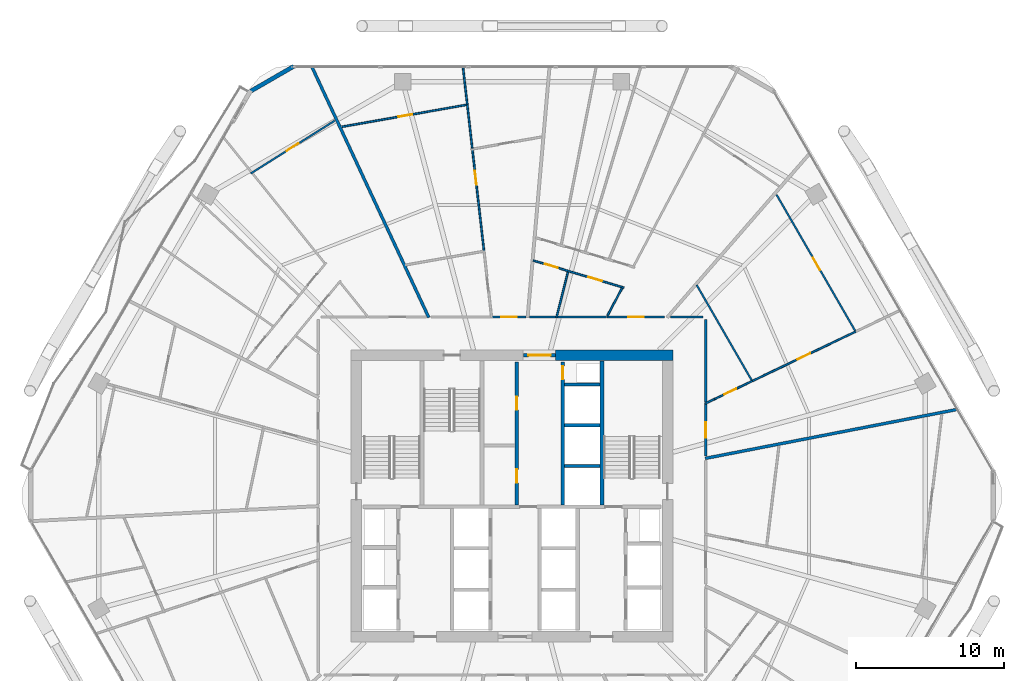
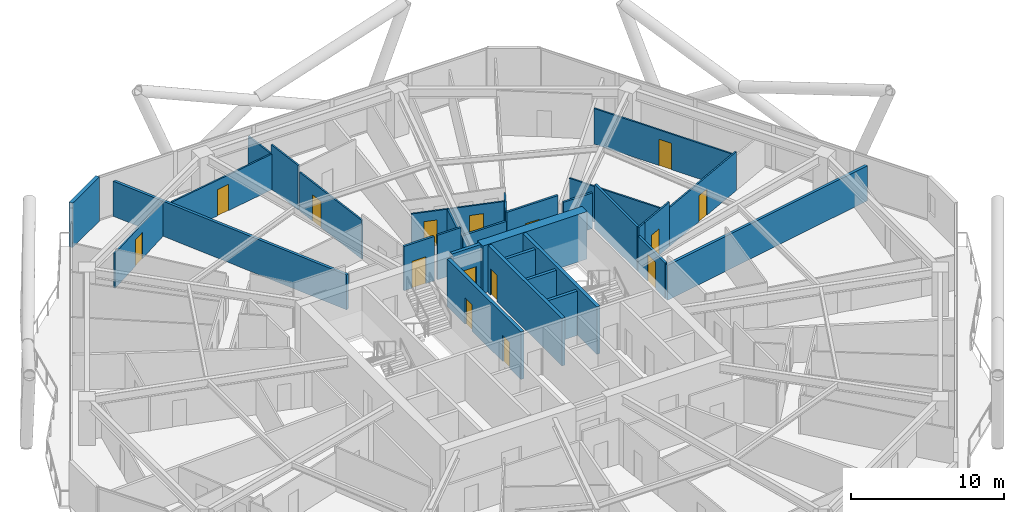
# One storey, part 31 of 34: 31 walls, 15 doors, 15 openings.
"""IFC4 building model written with IfcOpenShell, lengths in metres."""

from ifc_helpers import new_model, si_unit, direction, frame, frame_2d, origin, place, context, subcontext, project, spatial, rectangle, extrude, material, layer, layer_set, type_object, element, fill, save


model = new_model("IFC4")

# Units and contexts
model_context = context("Model", 3, precision=1e-05, world=origin(), true_north=direction((0.0, 1.0)))
body_context = subcontext(model_context, "Body", "Model", "MODEL_VIEW")
ifc_project = project(units=[si_unit("LENGTHUNIT", "METRE"), si_unit("AREAUNIT", "SQUARE_METRE"), si_unit("VOLUMEUNIT", "CUBIC_METRE"), si_unit("PLANEANGLEUNIT", "RADIAN"), si_unit("MASSUNIT", "GRAM", prefix="KILO")], contexts=[model_context])

# Site, building, storey
site_placement = place(None, origin())
site = spatial("IfcSite", under=ifc_project, at=site_placement, CompositionType="ELEMENT")
building_placement = place(site_placement, origin())
building = spatial("IfcBuilding", under=site, at=building_placement, Name="Zuhravey Tower", CompositionType="ELEMENT")
storey_placement = place(building_placement, frame((0.0, 0.0, 130.39990234375)))
storey = spatial("IfcBuildingStorey", under=building, at=storey_placement, Name="L32", CompositionType="ELEMENT", Elevation=130.39990234375)

# Wall
ifc_material_1 = material(Name="Concrete C60/75", Category="concrete")
ifc_layer_1 = layer(ifc_material_1, 0.699951171875)
ifc_layer_set_1 = layer_set([ifc_layer_1], Name="Concrete C60/75")
wall_type_1 = type_object("IfcWallType", Name="Core Shear Wall 700", PredefinedType="SHEAR", material=ifc_layer_set_1)
wall_1_placement = place(storey_placement, frame((46.85009765625, 41.5, 0.0), z_axis=(0.0, 0.0, 1.0), x_axis=(-1.0, 0.0, 0.0)))
element("IfcWall", 1, at=wall_1_placement, inside=storey, type_object=wall_type_1, Name="L32 North-East Core Shear Wall CW70", PredefinedType="SHEAR", context=body_context, shape_type="SweptSolid", body=[
    extrude(rectangle(XDim=7.900146484375, YDim=0.699951171875, at=frame_2d((3.9501953125, 0.0))), origin(), (0.0, 0.0, 1.0), 3.800048828125),
])

# Wall, opening, door
ifc_material_2 = material(Name="Gypsum fire-rated stud partition")
ifc_layer_2 = layer(ifc_material_2, 0.159912109375)
ifc_layer_set_2 = layer_set([ifc_layer_2], Name="Gypsum fire-rated stud partition")
wall_type_2 = type_object("IfcWallType", Name="Corridor Fire Partition 160", PredefinedType="PARTITIONING", material=ifc_layer_set_2)
wall_2_placement = place(storey_placement, frame((49.080078125, 34.681640625, 0.0), z_axis=(0.0, 0.0, 1.0), x_axis=(0.0, 1.0, 0.0)))
wall_2 = element("IfcWall", 2, at=wall_2_placement, inside=storey, type_object=wall_type_2, Name="L32 IW16 Partition 022", PredefinedType="PARTITIONING", context=body_context, shape_type="SweptSolid", body=[
    extrude(rectangle(XDim=3.5517578125, YDim=0.159912109375, at=frame_2d((1.77587890625, 0.0))), origin(), (0.0, 0.0, 1.0), 2.85009765625),
])
opening_1_placement = place(wall_2_placement, frame((1.2509765625, 0.0, 0.0)))
opening_1 = element("IfcOpeningElement", 3, at=opening_1_placement, cuts=wall_2, Name="Opening APD1", PredefinedType="OPENING", context=body_context, shape_type="SweptSolid", body=[
    extrude(rectangle(XDim=1.050048828125, YDim=2.14990234375, at=frame_2d((0.52490234375, 1.074951171875))), frame((0.0, 0.092041015625, 0.0), z_axis=(0.0, -1.0, 0.0), x_axis=(1.0, 0.0, 0.0)), (0.0, 0.0, 1.0), 0.183837890625),
])
ifc_material_3 = material(Name="Solid-core oak fire-rated leaf")
door_type_1 = type_object("IfcDoorType", Name="Apartment Entrance Fire Door 1050x2150", OperationType="NOTDEFINED", PredefinedType="DOOR", material=ifc_material_3)
door_1_placement = place(opening_1_placement, frame((1.050048828125, 0.0, 0.0), z_axis=(0.0, 0.0, 1.0), x_axis=(-1.0, 0.0, 0.0)))
door_1 = element("IfcDoor", 4, at=door_1_placement, inside=storey, type_object=door_type_1, Name="L32 Door 022.1", OperationType="SINGLE_SWING_LEFT", OverallHeight=2.14990234375, OverallWidth=1.050048828125, PredefinedType="DOOR", context=body_context, shape_type="SweptSolid", body=[
    extrude(rectangle(XDim=1.050048828125, YDim=2.14990234375, at=frame_2d((0.52490234375, 1.074951171875))), frame((0.0, 0.02490234375, 0.0), z_axis=(0.0, -1.0, 0.0), x_axis=(1.0, 0.0, 0.0)), (0.0, 0.0, 1.0), 0.050048828125),
])
fill(opening_1, door_1)

wall_3_placement = place(storey_placement, frame((46.291015625, 44.080078125, 0.0), z_axis=(0.0, 0.0, 1.0), x_axis=(-1.0, 0.0, 0.0)))
wall_3 = element("IfcWall", 5, at=wall_3_placement, inside=storey, type_object=wall_type_2, Name="L32 IW16 Partition 026", PredefinedType="PARTITIONING", context=body_context, shape_type="SweptSolid", body=[
    extrude(rectangle(XDim=3.872314453125, YDim=0.159912109375, at=frame_2d((1.93603515625, 0.0))), origin(), (0.0, 0.0, 1.0), 3.550048828125),
])
opening_2_placement = place(wall_3_placement, frame((1.4111328125, 0.0, 0.0)))
opening_2 = element("IfcOpeningElement", 6, at=opening_2_placement, cuts=wall_3, Name="Opening APD1", PredefinedType="OPENING", context=body_context, shape_type="SweptSolid", body=[
    extrude(rectangle(XDim=1.050048828125, YDim=2.14990234375, at=frame_2d((0.52490234375, 1.074951171875))), frame((0.0, 0.092041015625, 0.0), z_axis=(0.0, -1.0, 0.0), x_axis=(1.0, 0.0, 0.0)), (0.0, 0.0, 1.0), 0.183837890625),
])
door_2_placement = place(opening_2_placement, frame((1.050048828125, 0.0, 0.0), z_axis=(0.0, 0.0, 1.0), x_axis=(-1.0, 0.0, 0.0)))
door_2 = element("IfcDoor", 7, at=door_2_placement, inside=storey, type_object=door_type_1, Name="L32 Door 026.1", OperationType="SINGLE_SWING_LEFT", OverallHeight=2.14990234375, OverallWidth=1.050048828125, PredefinedType="DOOR", context=body_context, shape_type="SweptSolid", body=[
    extrude(rectangle(XDim=1.050048828125, YDim=2.14990234375, at=frame_2d((0.52490234375, 1.074951171875))), frame((0.0, 0.02490234375, 0.0), z_axis=(0.0, -1.0, 0.0), x_axis=(1.0, 0.0, 0.0)), (0.0, 0.0, 1.0), 0.050048828125),
])
fill(opening_2, door_2)

wall_4_placement = place(storey_placement, frame((36.9306640625, 44.080078125, 0.0), z_axis=(0.0, 0.0, 1.0), x_axis=(-1.0, 0.0, 0.0)))
wall_4 = element("IfcWall", 8, at=wall_4_placement, inside=storey, type_object=wall_type_2, Name="L32 IW16 Partition 032", PredefinedType="PARTITIONING", context=body_context, shape_type="SweptSolid", body=[
    extrude(rectangle(XDim=2.291259765625, YDim=0.159912109375, at=frame_2d((1.1455078125, 0.0))), origin(), (0.0, 0.0, 1.0), 3.550048828125),
])
opening_3_placement = place(wall_4_placement, frame((0.62060546875, 0.0, 0.0)))
opening_3 = element("IfcOpeningElement", 9, at=opening_3_placement, cuts=wall_4, Name="Opening APD1", PredefinedType="OPENING", context=body_context, shape_type="SweptSolid", body=[
    extrude(rectangle(XDim=1.050048828125, YDim=2.14990234375, at=frame_2d((0.52490234375, 1.074951171875))), frame((0.0, 0.092041015625, 0.0), z_axis=(0.0, -1.0, 0.0), x_axis=(1.0, 0.0, 0.0)), (0.0, 0.0, 1.0), 0.183837890625),
])
door_3_placement = place(opening_3_placement, frame((1.050048828125, 0.0, 0.0), z_axis=(0.0, 0.0, 1.0), x_axis=(-1.0, 0.0, 0.0)))
door_3 = element("IfcDoor", 10, at=door_3_placement, inside=storey, type_object=door_type_1, Name="L32 Door 032.1", OperationType="SINGLE_SWING_RIGHT", OverallHeight=2.14990234375, OverallWidth=1.050048828125, PredefinedType="DOOR", context=body_context, shape_type="SweptSolid", body=[
    extrude(rectangle(XDim=1.050048828125, YDim=2.14990234375, at=frame_2d((0.52490234375, 1.074951171875))), frame((0.0, 0.02490234375, 0.0), z_axis=(0.0, -1.0, 0.0), x_axis=(1.0, 0.0, 0.0)), (0.0, 0.0, 1.0), 0.050048828125),
])
fill(opening_3, door_3)

# Walls
wall_5_placement = place(storey_placement, frame((49.080078125, 38.3310546875, 0.0), z_axis=(0.0, 0.0, 1.0), x_axis=(0.0, 1.0, 0.0)))
element("IfcWall", 11, at=wall_5_placement, inside=storey, type_object=wall_type_2, Name="L32 IW16 Partition 128", PredefinedType="PARTITIONING", context=body_context, shape_type="SweptSolid", body=[
    extrude(rectangle(XDim=5.56884765625, YDim=0.159912109375, at=frame_2d((2.784423828125, 0.0))), origin(), (0.0, 0.0, 1.0), 3.550048828125),
])
wall_6_placement = place(storey_placement, frame((48.89990234375, 44.080078125, 0.0), z_axis=(0.0, 0.0, 1.0), x_axis=(-1.0, 0.0, 0.0)))
element("IfcWall", 12, at=wall_6_placement, inside=storey, type_object=wall_type_2, Name="L32 IW16 Partition 129", PredefinedType="PARTITIONING", context=body_context, shape_type="SweptSolid", body=[
    extrude(rectangle(XDim=2.185791015625, YDim=0.159912109375, at=frame_2d((1.0927734375, 0.0))), origin(), (0.0, 0.0, 1.0), 2.85009765625),
])
wall_7_placement = place(storey_placement, frame((42.373291015625, 44.080078125, 0.0), z_axis=(0.0, 0.0, 1.0), x_axis=(-1.0, 0.0, 0.0)))
element("IfcWall", 13, at=wall_7_placement, inside=storey, type_object=wall_type_2, Name="L32 IW16 Partition 130", PredefinedType="PARTITIONING", context=body_context, shape_type="SweptSolid", body=[
    extrude(rectangle(XDim=3.28857421875, YDim=0.159912109375, at=frame_2d((1.644287109375, 0.0))), origin(), (0.0, 0.0, 1.0), 2.85009765625),
])
wall_8_placement = place(storey_placement, frame((38.944580078125, 44.080078125, 0.0), z_axis=(0.0, 0.0, 1.0), x_axis=(-1.0, 0.0, 0.0)))
element("IfcWall", 14, at=wall_8_placement, inside=storey, type_object=wall_type_2, Name="L32 IW16 Partition 131", PredefinedType="PARTITIONING", context=body_context, shape_type="SweptSolid", body=[
    extrude(rectangle(XDim=1.76123046875, YDim=0.159912109375, at=frame_2d((0.880615234375, 0.0))), origin(), (0.0, 0.0, 1.0), 3.550048828125),
])
ifc_material_4 = material(Name="Precast concrete C40/50", Category="concrete")
ifc_layer_3 = layer(ifc_material_4, 0.280029296875)
ifc_layer_set_3 = layer_set([ifc_layer_3], Name="Precast concrete C40/50")
wall_type_3 = type_object("IfcWallType", Name="Crown Architectural Wall 280", PredefinedType="SOLIDWALL", material=ifc_layer_set_3)
wall_9_placement = place(storey_placement, frame((18.23876953125, 59.24853515625, 0.0), z_axis=(0.0, 0.0, 1.0), x_axis=(0.866007452331, 0.500031091541, 0.0)))
element("IfcWall", 15, at=wall_9_placement, inside=storey, type_object=wall_type_3, Name="L32 Rounded Corner Closure Wall EW28-08", PredefinedType="SOLIDWALL", context=body_context, shape_type="SweptSolid", body=[
    extrude(rectangle(XDim=3.514892578125, YDim=0.280029296875, at=frame_2d((1.75732421875, 0.0))), origin(), (0.0, 0.0, 1.0), 3.550048828125),
])

# Wall, opening, door
ifc_material_5 = material(Name="Concrete C50/60", Category="concrete")
ifc_layer_4 = layer(ifc_material_5, 0.25)
ifc_layer_set_4 = layer_set([ifc_layer_4], Name="Concrete C50/60")
wall_type_4 = type_object("IfcWallType", Name="Firefighting Shaft & Stair Wall 250", PredefinedType="SOLIDWALL", material=ifc_layer_set_4)
wall_10_placement = place(storey_placement, frame((36.760009765625, 41.5, 0.0), z_axis=(0.0, 0.0, 1.0), x_axis=(1.0, 0.0, 0.0)))
wall_10 = element("IfcWall", 16, at=wall_10_placement, inside=storey, type_object=wall_type_4, Name="L32 FW25 Shaft Wall 002", PredefinedType="SOLIDWALL", context=body_context, shape_type="SweptSolid", body=[
    extrude(rectangle(XDim=2.179931640625, YDim=0.25, at=frame_2d((1.08984375, 0.0))), origin(), (0.0, 0.0, 1.0), 3.800048828125),
])
opening_4_placement = place(wall_10_placement, frame((0.340087890625, 0.0, 0.0)))
opening_4 = element("IfcOpeningElement", 17, at=opening_4_placement, cuts=wall_10, Name="Opening FFD1", PredefinedType="OPENING", context=body_context, shape_type="SweptSolid", body=[
    extrude(rectangle(XDim=1.5, YDim=2.14990234375, at=frame_2d((0.75, 1.074951171875))), frame((0.0, 0.136962890625, 0.0), z_axis=(0.0, -1.0, 0.0), x_axis=(1.0, 0.0, 0.0)), (0.0, 0.0, 1.0), 0.27392578125),
])
ifc_material_6 = material(Name="Galvanised fire-rated steel leaf", Category="steel")
door_type_2 = type_object("IfcDoorType", Name="Firefighting Lobby Double Door 1500x2150", OperationType="DOUBLE_DOOR_SINGLE_SWING", PredefinedType="DOOR", material=ifc_material_6)
door_4_placement = place(opening_4_placement, origin())
door_4 = element("IfcDoor", 18, at=door_4_placement, inside=storey, type_object=door_type_2, Name="L32 North Lift Lobby Exit Door", OperationType="DOUBLE_DOOR_SINGLE_SWING", OverallHeight=2.14990234375, OverallWidth=1.5, PredefinedType="DOOR", context=body_context, shape_type="SweptSolid", body=[
    extrude(rectangle(XDim=1.5, YDim=2.14990234375, at=frame_2d((0.75, 1.074951171875))), frame((0.0, 0.02490234375, 0.0), z_axis=(0.0, -1.0, 0.0), x_axis=(1.0, 0.0, 0.0)), (0.0, 0.0, 1.0), 0.050048828125),
])
fill(opening_4, door_4)

# Wall
wall_11_placement = place(storey_placement, frame((42.074951171875, 31.39990234375, 0.0), z_axis=(0.0, 0.0, 1.0), x_axis=(0.0, 1.0, 0.0)))
element("IfcWall", 19, at=wall_11_placement, inside=storey, type_object=wall_type_4, Name="L32 FW25 Shaft Wall 006", PredefinedType="SOLIDWALL", context=body_context, shape_type="SweptSolid", body=[
    extrude(rectangle(XDim=9.7001953125, YDim=0.25, at=frame_2d((4.85009765625, 0.0))), origin(), (0.0, 0.0, 1.0), 3.800048828125),
])

# Wall, openings, doors
wall_12_placement = place(storey_placement, frame((36.324951171875, 31.39990234375, 0.0), z_axis=(0.0, 0.0, 1.0), x_axis=(0.0, 1.0, 0.0)))
wall_12 = element("IfcWall", 20, at=wall_12_placement, inside=storey, type_object=wall_type_4, Name="L32 FW25 Shaft Wall 007", PredefinedType="SOLIDWALL", context=body_context, shape_type="SweptSolid", body=[
    extrude(rectangle(XDim=9.650146484375, YDim=0.25, at=frame_2d((4.8251953125, 0.0))), origin(), (0.0, 0.0, 1.0), 3.800048828125),
])
opening_5_placement = place(wall_12_placement, frame((1.489990234375, 0.0, 0.0)))
opening_5 = element("IfcOpeningElement", 21, at=opening_5_placement, cuts=wall_12, Name="Opening RSD1", PredefinedType="OPENING", context=body_context, shape_type="SweptSolid", body=[
    extrude(rectangle(XDim=0.89990234375, YDim=2.10009765625, at=frame_2d((0.449951171875, 1.050048828125))), frame((0.0, 0.136962890625, 0.0), z_axis=(0.0, -1.0, 0.0), x_axis=(1.0, 0.0, 0.0)), (0.0, 0.0, 1.0), 0.27392578125),
])
opening_6_placement = place(wall_12_placement, frame((6.409912109375, 0.0, 0.0)))
opening_6 = element("IfcOpeningElement", 22, at=opening_6_placement, cuts=wall_12, Name="Opening RSD1", PredefinedType="OPENING", context=body_context, shape_type="SweptSolid", body=[
    extrude(rectangle(XDim=0.89990234375, YDim=2.10009765625, at=frame_2d((0.449951171875, 1.050048828125))), frame((0.0, 0.136962890625, 0.0), z_axis=(0.0, -1.0, 0.0), x_axis=(1.0, 0.0, 0.0)), (0.0, 0.0, 1.0), 0.27392578125),
])
ifc_material_7 = material(Name="Galvanised fire-rated steel access leaf", Category="steel")
door_type_3 = type_object("IfcDoorType", Name="Riser & Shaft Access Fire Door 900x2100", OperationType="NOTDEFINED", PredefinedType="DOOR", material=ifc_material_7)
door_5_placement = place(opening_5_placement, origin())
door_5 = element("IfcDoor", 23, at=door_5_placement, inside=storey, type_object=door_type_3, Name="L32 Core Cleaner Store Door", OperationType="SINGLE_SWING_RIGHT", OverallHeight=2.10009765625, OverallWidth=0.89990234375, PredefinedType="DOOR", context=body_context, shape_type="SweptSolid", body=[
    extrude(rectangle(XDim=0.89990234375, YDim=2.10009765625, at=frame_2d((0.449951171875, 1.050048828125))), frame((0.0, 0.02490234375, 0.0), z_axis=(0.0, -1.0, 0.0), x_axis=(1.0, 0.0, 0.0)), (0.0, 0.0, 1.0), 0.050048828125),
])
fill(opening_5, door_5)
door_6_placement = place(opening_6_placement, origin())
door_6 = element("IfcDoor", 24, at=door_6_placement, inside=storey, type_object=door_type_3, Name="L32 Core Pantry and Tea Room Door", OperationType="SINGLE_SWING_LEFT", OverallHeight=2.10009765625, OverallWidth=0.89990234375, PredefinedType="DOOR", context=body_context, shape_type="SweptSolid", body=[
    extrude(rectangle(XDim=0.89990234375, YDim=2.10009765625, at=frame_2d((0.449951171875, 1.050048828125))), frame((0.0, 0.02490234375, 0.0), z_axis=(0.0, -1.0, 0.0), x_axis=(1.0, 0.0, 0.0)), (0.0, 0.0, 1.0), 0.050048828125),
])
fill(opening_6, door_6)

# Wall, opening, door
wall_13_placement = place(storey_placement, frame((39.425048828125, 31.39990234375, 0.0), z_axis=(0.0, 0.0, 1.0), x_axis=(0.0, 1.0, 0.0)))
wall_13 = element("IfcWall", 25, at=wall_13_placement, inside=storey, type_object=wall_type_4, Name="L32 FW25 Shaft Wall 008", PredefinedType="SOLIDWALL", context=body_context, shape_type="SweptSolid", body=[
    extrude(rectangle(XDim=9.650146484375, YDim=0.25, at=frame_2d((4.8251953125, 0.0))), origin(), (0.0, 0.0, 1.0), 3.800048828125),
])
opening_7_placement = place(wall_13_placement, frame((8.469970703125, 0.0, 0.0)))
opening_7 = element("IfcOpeningElement", 26, at=opening_7_placement, cuts=wall_13, Name="Opening RSD1", PredefinedType="OPENING", context=body_context, shape_type="SweptSolid", body=[
    extrude(rectangle(XDim=0.89990234375, YDim=2.10009765625, at=frame_2d((0.449951171875, 1.050048828125))), frame((0.0, 0.136962890625, 0.0), z_axis=(0.0, -1.0, 0.0), x_axis=(1.0, 0.0, 0.0)), (0.0, 0.0, 1.0), 0.27392578125),
])
door_7_placement = place(opening_7_placement, origin())
door_7 = element("IfcDoor", 27, at=door_7_placement, inside=storey, type_object=door_type_3, Name="L32 North Riser Door", OperationType="SINGLE_SWING_RIGHT", OverallHeight=2.10009765625, OverallWidth=0.89990234375, PredefinedType="DOOR", context=body_context, shape_type="SweptSolid", body=[
    extrude(rectangle(XDim=0.89990234375, YDim=2.10009765625, at=frame_2d((0.449951171875, 1.050048828125))), frame((0.0, 0.02490234375, 0.0), z_axis=(0.0, -1.0, 0.0), x_axis=(1.0, 0.0, 0.0)), (0.0, 0.0, 1.0), 0.050048828125),
])
fill(opening_7, door_7)

# Walls
ifc_material_8 = material(Name="Gypsum double-stud party assembly")
ifc_layer_5 = layer(ifc_material_8, 0.199951171875)
ifc_layer_set_5 = layer_set([ifc_layer_5], Name="Gypsum double-stud party assembly")
wall_type_5 = type_object("IfcWallType", Name="Inter-Tenancy Party Wall 200", PredefinedType="PARTITIONING", material=ifc_layer_set_5)
wall_14_placement = place(storey_placement, frame((49.0400390625, 34.53466796875, 0.0), z_axis=(0.0, 0.0, 1.0), x_axis=(0.981625938162, 0.190815401706, 0.0)))
element("IfcWall", 28, at=wall_14_placement, inside=storey, type_object=wall_type_5, Name="L32 IW20 Partition 075", PredefinedType="PARTITIONING", context=body_context, shape_type="SweptSolid", body=[
    extrude(rectangle(XDim=17.343017578125, YDim=0.199951171875, at=frame_2d((8.67138671875, 0.0))), origin(), (0.0, 0.0, 1.0), 2.800048828125),
])
wall_15_placement = place(storey_placement, frame((30.3857421875, 44.0400390625, 0.0), z_axis=(0.0, 0.0, 1.0), x_axis=(-0.422626983595, 0.906303719918, 0.0)))
element("IfcWall", 29, at=wall_15_placement, inside=storey, type_object=wall_type_5, Name="L32 IW20 Partition 091", PredefinedType="PARTITIONING", context=body_context, shape_type="SweptSolid", body=[
    extrude(rectangle(XDim=18.66748046875, YDim=0.199951171875, at=frame_2d((9.333740234375, 0.0))), origin(), (0.0, 0.0, 1.0), 2.800048828125),
])
ifc_material_9 = material(Name="Gypsum acoustic stud assembly")
ifc_layer_6 = layer(ifc_material_9, 0.219970703125)
ifc_layer_set_6 = layer_set([ifc_layer_6], Name="Gypsum acoustic stud assembly")
wall_type_6 = type_object("IfcWallType", Name="School Acoustic Compartment Wall 220", PredefinedType="PARTITIONING", material=ifc_layer_set_6)
for number, where, z_axis, x_axis, name in (
    (30, (39.55810546875, 34.02490234375, 0.0), (0.0, 0.0, 1.0), (1.0, 0.0, 0.0), "L32 IW22 Partition 068"),
    (31, (39.55810546875, 36.77490234375, 0.0), (0.0, 0.0, 1.0), (1.0, 0.0, 0.0), "L32 IW22 Partition 069"),
    (32, (39.55810546875, 39.52490234375, 0.0), (0.0, 0.0, 1.0), (1.0, 0.0, 0.0), "L32 IW22 Partition 070"),
):
    element("IfcWall", number, at=place(storey_placement, frame(where, z_axis=z_axis, x_axis=x_axis)), inside=storey, type_object=wall_type_6, Name=name, PredefinedType="PARTITIONING", context=body_context, shape_type="SweptSolid", body=[
        extrude(rectangle(XDim=2.3837890625, YDim=0.219970703125, at=frame_2d((1.19189453125, 0.0))), origin(), (0.0, 0.0, 1.0), 3.550048828125),
    ])

# Wall, opening, door
ifc_material_10 = material(Name="Gypsum metal-stud partition")
ifc_layer_7 = layer(ifc_material_10, 0.1201171875)
ifc_layer_set_7 = layer_set([ifc_layer_7], Name="Gypsum metal-stud partition")
wall_type_7 = type_object("IfcWallType", Name="Unit Internal Partition 120", PredefinedType="PARTITIONING", material=ifc_layer_set_7)
wall_16_placement = place(storey_placement, frame((49.64990234375, 38.5283203125, 0.0), z_axis=(0.0, 0.0, 1.0), x_axis=(0.902135664901, 0.431452479555, 0.0)))
wall_16 = element("IfcWall", 33, at=wall_16_placement, inside=storey, type_object=wall_type_7, Name="L32 IW12 Partition 019", PredefinedType="PARTITIONING", context=body_context, shape_type="SweptSolid", body=[
    extrude(rectangle(XDim=2.86279296875, YDim=0.1201171875, at=frame_2d((1.431396484375, 0.0))), origin(), (0.0, 0.0, 1.0), 3.550048828125),
])
opening_8_placement = place(wall_16_placement, frame((0.752197265625, 0.0, 0.0)))
opening_8 = element("IfcOpeningElement", 34, at=opening_8_placement, cuts=wall_16, Name="Opening WCD1", PredefinedType="OPENING", context=body_context, shape_type="SweptSolid", body=[
    extrude(rectangle(XDim=0.89990234375, YDim=2.10009765625, at=frame_2d((0.449951171875, 1.050048828125))), frame((0.0, 0.072021484375, 0.0), z_axis=(0.0, -1.0, 0.0), x_axis=(1.0, 0.0, 0.0)), (0.0, 0.0, 1.0), 0.14404296875),
])
ifc_material_11 = material(Name="Moisture-resistant timber leaf", Category="wood")
door_type_4 = type_object("IfcDoorType", Name="Bathroom & WC Internal Door 900x2100", OperationType="NOTDEFINED", PredefinedType="DOOR", material=ifc_material_11)
door_8_placement = place(opening_8_placement, origin())
door_8 = element("IfcDoor", 35, at=door_8_placement, inside=storey, type_object=door_type_4, Name="Apartment L32-01 Bathroom Door", OperationType="SINGLE_SWING_RIGHT", OverallHeight=2.10009765625, OverallWidth=0.89990234375, PredefinedType="DOOR", context=body_context, shape_type="SweptSolid", body=[
    extrude(rectangle(XDim=0.89990234375, YDim=2.10009765625, at=frame_2d((0.449951171875, 1.050048828125))), frame((0.0, 0.02490234375, 0.0), z_axis=(0.0, -1.0, 0.0), x_axis=(1.0, 0.0, 0.0)), (0.0, 0.0, 1.0), 0.050048828125),
])
fill(opening_8, door_8)

wall_17_placement = place(storey_placement, frame((52.232421875, 39.763427734375, 0.0), z_axis=(0.0, 0.0, 1.0), x_axis=(0.902143295933, 0.43143652326, 0.0)))
wall_17 = element("IfcWall", 36, at=wall_17_placement, inside=storey, type_object=wall_type_7, Name="L32 IW12 Partition 020", PredefinedType="PARTITIONING", context=body_context, shape_type="SweptSolid", body=[
    extrude(rectangle(XDim=7.739990234375, YDim=0.1201171875, at=frame_2d((3.8701171875, 0.0))), origin(), (0.0, 0.0, 1.0), 3.10009765625),
])
opening_9_placement = place(wall_17_placement, frame((3.3701171875, 0.0, 0.0)))
opening_9 = element("IfcOpeningElement", 37, at=opening_9_placement, cuts=wall_17, Name="Opening IND1", PredefinedType="OPENING", context=body_context, shape_type="SweptSolid", body=[
    extrude(rectangle(XDim=0.949951171875, YDim=2.10009765625, at=frame_2d((0.47509765625, 1.050048828125))), frame((0.0, 0.072021484375, 0.0), z_axis=(0.0, -1.0, 0.0), x_axis=(1.0, 0.0, 0.0)), (0.0, 0.0, 1.0), 0.14404296875),
])
ifc_material_12 = material(Name="Painted engineered timber leaf", Category="wood")
door_type_5 = type_object("IfcDoorType", Name="Internal Room & Bedroom Door 950x2100", OperationType="NOTDEFINED", PredefinedType="DOOR", material=ifc_material_12)
door_9_placement = place(opening_9_placement, origin())
door_9 = element("IfcDoor", 38, at=door_9_placement, inside=storey, type_object=door_type_5, Name="Apartment L32-01 Home Office Door", OperationType="SINGLE_SWING_LEFT", OverallHeight=2.10009765625, OverallWidth=0.949951171875, PredefinedType="DOOR", context=body_context, shape_type="SweptSolid", body=[
    extrude(rectangle(XDim=0.949951171875, YDim=2.10009765625, at=frame_2d((0.47509765625, 1.050048828125))), frame((0.0, 0.02490234375, 0.0), z_axis=(0.0, -1.0, 0.0), x_axis=(1.0, 0.0, 0.0)), (0.0, 0.0, 1.0), 0.050048828125),
])
fill(opening_9, door_9)

wall_18_placement = place(storey_placement, frame((59.158447265625, 43.151123046875, 0.0), z_axis=(0.0, 0.0, 1.0), x_axis=(-0.500002146898, 0.866024164269, 0.0)))
wall_18 = element("IfcWall", 39, at=wall_18_placement, inside=storey, type_object=wall_type_7, Name="L32 IW12 Partition 021", PredefinedType="PARTITIONING", context=body_context, shape_type="SweptSolid", body=[
    extrude(rectangle(XDim=10.603515625, YDim=0.1201171875, at=frame_2d((5.3017578125, 0.0))), origin(), (0.0, 0.0, 1.0), 2.85009765625),
])
opening_10_placement = place(wall_18_placement, frame((4.742431640625, 0.0, 0.0)))
opening_10 = element("IfcOpeningElement", 40, at=opening_10_placement, cuts=wall_18, Name="Opening IND1", PredefinedType="OPENING", context=body_context, shape_type="SweptSolid", body=[
    extrude(rectangle(XDim=0.949951171875, YDim=2.10009765625, at=frame_2d((0.47509765625, 1.050048828125))), frame((0.0, 0.072021484375, 0.0), z_axis=(0.0, -1.0, 0.0), x_axis=(1.0, 0.0, 0.0)), (0.0, 0.0, 1.0), 0.14404296875),
])
door_10_placement = place(opening_10_placement, frame((0.949951171875, 0.0, 0.0), z_axis=(0.0, 0.0, 1.0), x_axis=(-1.0, 0.0, 0.0)))
door_10 = element("IfcDoor", 41, at=door_10_placement, inside=storey, type_object=door_type_5, Name="Apartment L32-01 Bedroom 1 Door", OperationType="SINGLE_SWING_RIGHT", OverallHeight=2.10009765625, OverallWidth=0.949951171875, PredefinedType="DOOR", context=body_context, shape_type="SweptSolid", body=[
    extrude(rectangle(XDim=0.949951171875, YDim=2.10009765625, at=frame_2d((0.47509765625, 1.050048828125))), frame((0.0, 0.02490234375, 0.0), z_axis=(0.0, -1.0, 0.0), x_axis=(1.0, 0.0, 0.0)), (0.0, 0.0, 1.0), 0.050048828125),
])
fill(opening_10, door_10)

# Wall, openings, doors
wall_19_placement = place(storey_placement, frame((43.555908203125, 46.056640625, 0.0), z_axis=(0.0, 0.0, 1.0), x_axis=(-0.957822082652, 0.287361893759, 0.0)))
wall_19 = element("IfcWall", 42, at=wall_19_placement, inside=storey, type_object=wall_type_7, Name="L32 IW12 Partition 024", PredefinedType="PARTITIONING", context=body_context, shape_type="SweptSolid", body=[
    extrude(rectangle(XDim=6.395751953125, YDim=0.1201171875, at=frame_2d((3.19775390625, 0.0))), origin(), (0.0, 0.0, 1.0), 2.85009765625),
])
opening_11_placement = place(wall_19_placement, frame((1.541748046875, 0.0, 0.0)))
opening_11 = element("IfcOpeningElement", 43, at=opening_11_placement, cuts=wall_19, Name="Opening IND1", PredefinedType="OPENING", context=body_context, shape_type="SweptSolid", body=[
    extrude(rectangle(XDim=0.949951171875, YDim=2.10009765625, at=frame_2d((0.47509765625, 1.050048828125))), frame((0.0, 0.072021484375, 0.0), z_axis=(0.0, -1.0, 0.0), x_axis=(1.0, 0.0, 0.0)), (0.0, 0.0, 1.0), 0.14404296875),
])
opening_12_placement = place(wall_19_placement, frame((4.66259765625, 0.0, 0.0)))
opening_12 = element("IfcOpeningElement", 44, at=opening_12_placement, cuts=wall_19, Name="Opening WCD1", PredefinedType="OPENING", context=body_context, shape_type="SweptSolid", body=[
    extrude(rectangle(XDim=0.89990234375, YDim=2.10009765625, at=frame_2d((0.449951171875, 1.050048828125))), frame((0.0, 0.072021484375, 0.0), z_axis=(0.0, -1.0, 0.0), x_axis=(1.0, 0.0, 0.0)), (0.0, 0.0, 1.0), 0.14404296875),
])
door_11_placement = place(opening_12_placement, origin())
door_11 = element("IfcDoor", 45, at=door_11_placement, inside=storey, type_object=door_type_4, Name="Apartment L32-02 Bathroom Door", OperationType="SINGLE_SWING_RIGHT", OverallHeight=2.10009765625, OverallWidth=0.89990234375, PredefinedType="DOOR", context=body_context, shape_type="SweptSolid", body=[
    extrude(rectangle(XDim=0.89990234375, YDim=2.10009765625, at=frame_2d((0.449951171875, 1.050048828125))), frame((0.0, 0.02490234375, 0.0), z_axis=(0.0, -1.0, 0.0), x_axis=(1.0, 0.0, 0.0)), (0.0, 0.0, 1.0), 0.050048828125),
])
fill(opening_12, door_11)
door_12_placement = place(opening_11_placement, origin())
door_12 = element("IfcDoor", 46, at=door_12_placement, inside=storey, type_object=door_type_5, Name="Apartment L32-02 Kitchen Door", OperationType="SINGLE_SWING_LEFT", OverallHeight=2.10009765625, OverallWidth=0.949951171875, PredefinedType="DOOR", context=body_context, shape_type="SweptSolid", body=[
    extrude(rectangle(XDim=0.949951171875, YDim=2.10009765625, at=frame_2d((0.47509765625, 1.050048828125))), frame((0.0, 0.02490234375, 0.0), z_axis=(0.0, -1.0, 0.0), x_axis=(1.0, 0.0, 0.0)), (0.0, 0.0, 1.0), 0.050048828125),
])
fill(opening_11, door_12)

# Wall, opening, door
wall_20_placement = place(storey_placement, frame((34.10888671875, 48.54541015625, 0.0), z_axis=(0.0, 0.0, 1.0), x_axis=(-0.113541557806, 0.993533247884, 0.0)))
wall_20 = element("IfcWall", 47, at=wall_20_placement, inside=storey, type_object=wall_type_7, Name="L32 IW12 Partition 029", PredefinedType="PARTITIONING", context=body_context, shape_type="SweptSolid", body=[
    extrude(rectangle(XDim=6.83984375, YDim=0.1201171875, at=frame_2d((3.419921875, 0.0))), origin(), (0.0, 0.0, 1.0), 3.10009765625),
])
opening_13_placement = place(wall_20_placement, frame((4.476318359375, 0.0, 0.0)))
opening_13 = element("IfcOpeningElement", 48, at=opening_13_placement, cuts=wall_20, Name="Opening IND1", PredefinedType="OPENING", context=body_context, shape_type="SweptSolid", body=[
    extrude(rectangle(XDim=0.949951171875, YDim=2.10009765625, at=frame_2d((0.47509765625, 1.050048828125))), frame((0.0, 0.072021484375, 0.0), z_axis=(0.0, -1.0, 0.0), x_axis=(1.0, 0.0, 0.0)), (0.0, 0.0, 1.0), 0.14404296875),
])
door_13_placement = place(opening_13_placement, origin())
door_13 = element("IfcDoor", 49, at=door_13_placement, inside=storey, type_object=door_type_5, Name="Apartment L32-03 Home Office Door", OperationType="SINGLE_SWING_RIGHT", OverallHeight=2.10009765625, OverallWidth=0.949951171875, PredefinedType="DOOR", context=body_context, shape_type="SweptSolid", body=[
    extrude(rectangle(XDim=0.949951171875, YDim=2.10009765625, at=frame_2d((0.47509765625, 1.050048828125))), frame((0.0, 0.02490234375, 0.0), z_axis=(0.0, -1.0, 0.0), x_axis=(1.0, 0.0, 0.0)), (0.0, 0.0, 1.0), 0.050048828125),
])
fill(opening_13, door_13)

# Wall
wall_21_placement = place(storey_placement, frame((33.31689453125, 55.476318359375, 0.0), z_axis=(0.0, 0.0, 1.0), x_axis=(-0.113518831764, 0.993535844766, 0.0)))
element("IfcWall", 50, at=wall_21_placement, inside=storey, type_object=wall_type_7, Name="L32 IW12 Partition 030", PredefinedType="PARTITIONING", context=body_context, shape_type="SweptSolid", body=[
    extrude(rectangle(XDim=2.9765625, YDim=0.1201171875, at=frame_2d((1.48828125, 0.0))), origin(), (0.0, 0.0, 1.0), 3.550048828125),
])

# Wall, opening, door
wall_22_placement = place(storey_placement, frame((32.914794921875, 58.396728515625, 0.0), z_axis=(0.0, 0.0, 1.0), x_axis=(-0.984808385469, -0.17364459079, 0.0)))
wall_22 = element("IfcWall", 51, at=wall_22_placement, inside=storey, type_object=wall_type_7, Name="L32 IW12 Partition 031", PredefinedType="PARTITIONING", context=body_context, shape_type="SweptSolid", body=[
    extrude(rectangle(XDim=8.510498046875, YDim=0.1201171875, at=frame_2d((4.25537109375, 0.0))), origin(), (0.0, 0.0, 1.0), 2.85009765625),
])
opening_14_placement = place(wall_22_placement, frame((3.69580078125, 0.0, 0.0)))
opening_14 = element("IfcOpeningElement", 52, at=opening_14_placement, cuts=wall_22, Name="Opening IND1", PredefinedType="OPENING", context=body_context, shape_type="SweptSolid", body=[
    extrude(rectangle(XDim=0.949951171875, YDim=2.10009765625, at=frame_2d((0.47509765625, 1.050048828125))), frame((0.0, 0.072021484375, 0.0), z_axis=(0.0, -1.0, 0.0), x_axis=(1.0, 0.0, 0.0)), (0.0, 0.0, 1.0), 0.14404296875),
])
door_14_placement = place(opening_14_placement, frame((0.949951171875, 0.0, 0.0), z_axis=(0.0, 0.0, 1.0), x_axis=(-1.0, 0.0, 0.0)))
door_14 = element("IfcDoor", 53, at=door_14_placement, inside=storey, type_object=door_type_5, Name="Apartment L32-03 Kitchen Door", OperationType="SINGLE_SWING_LEFT", OverallHeight=2.10009765625, OverallWidth=0.949951171875, PredefinedType="DOOR", context=body_context, shape_type="SweptSolid", body=[
    extrude(rectangle(XDim=0.949951171875, YDim=2.10009765625, at=frame_2d((0.47509765625, 1.050048828125))), frame((0.0, 0.02490234375, 0.0), z_axis=(0.0, -1.0, 0.0), x_axis=(1.0, 0.0, 0.0)), (0.0, 0.0, 1.0), 0.050048828125),
])
fill(opening_14, door_14)

wall_23_placement = place(storey_placement, frame((24.030029296875, 57.32763671875, 0.0), z_axis=(0.0, 0.0, 1.0), x_axis=(-0.846561448229, -0.532291005346, 0.0)))
wall_23 = element("IfcWall", 54, at=wall_23_placement, inside=storey, type_object=wall_type_7, Name="L32 IW12 Partition 033", PredefinedType="PARTITIONING", context=body_context, shape_type="SweptSolid", body=[
    extrude(rectangle(XDim=6.696533203125, YDim=0.1201171875, at=frame_2d((3.34814453125, 0.0))), origin(), (0.0, 0.0, 1.0), 2.800048828125),
])
opening_15_placement = place(wall_23_placement, frame((2.873291015625, 0.0, 0.0)))
opening_15 = element("IfcOpeningElement", 55, at=opening_15_placement, cuts=wall_23, Name="Opening IND1", PredefinedType="OPENING", context=body_context, shape_type="SweptSolid", body=[
    extrude(rectangle(XDim=0.949951171875, YDim=2.10009765625, at=frame_2d((0.47509765625, 1.050048828125))), frame((0.0, 0.072021484375, 0.0), z_axis=(0.0, -1.0, 0.0), x_axis=(1.0, 0.0, 0.0)), (0.0, 0.0, 1.0), 0.14404296875),
])
door_15_placement = place(opening_15_placement, frame((0.949951171875, 0.0, 0.0), z_axis=(0.0, 0.0, 1.0), x_axis=(-1.0, 0.0, 0.0)))
door_15 = element("IfcDoor", 56, at=door_15_placement, inside=storey, type_object=door_type_5, Name="Apartment L32-04 Family Study Door", OperationType="SINGLE_SWING_LEFT", OverallHeight=2.10009765625, OverallWidth=0.949951171875, PredefinedType="DOOR", context=body_context, shape_type="SweptSolid", body=[
    extrude(rectangle(XDim=0.949951171875, YDim=2.10009765625, at=frame_2d((0.47509765625, 1.050048828125))), frame((0.0, 0.02490234375, 0.0), z_axis=(0.0, -1.0, 0.0), x_axis=(1.0, 0.0, 0.0)), (0.0, 0.0, 1.0), 0.050048828125),
])
fill(opening_15, door_15)

# Walls
wall_24_placement = place(storey_placement, frame((49.03759765625, 38.2353515625, 0.0), z_axis=(0.0, 0.0, 1.0), x_axis=(0.902061167318, 0.431608214028, 0.0)))
element("IfcWall", 57, at=wall_24_placement, inside=storey, type_object=wall_type_7, Name="L32 IW12 Partition 076", PredefinedType="PARTITIONING", context=body_context, shape_type="SweptSolid", body=[
    extrude(rectangle(XDim=0.6787109375, YDim=0.1201171875, at=frame_2d((0.33935546875, 0.0))), origin(), (0.0, 0.0, 1.0), 3.550048828125),
])
wall_25_placement = place(storey_placement, frame((52.17578125, 39.811767578125, 0.0), z_axis=(0.0, 0.0, 1.0), x_axis=(-0.499998637326, 0.866026190523, 0.0)))
element("IfcWall", 58, at=wall_25_placement, inside=storey, type_object=wall_type_7, Name="L32 IW12 Partition 078", PredefinedType="PARTITIONING", context=body_context, shape_type="SweptSolid", body=[
    extrude(rectangle(XDim=7.42236328125, YDim=0.1201171875, at=frame_2d((3.711181640625, 0.0))), origin(), (0.0, 0.0, 1.0), 2.85009765625),
])
wall_26_placement = place(storey_placement, frame((39.002197265625, 44.030029296875, 0.0), z_axis=(0.0, 0.0, 1.0), x_axis=(0.242048665755, 0.97026411013, 0.0)))
element("IfcWall", 59, at=wall_26_placement, inside=storey, type_object=wall_type_7, Name="L32 IW12 Partition 080", PredefinedType="PARTITIONING", context=body_context, shape_type="SweptSolid", body=[
    extrude(rectangle(XDim=3.185302734375, YDim=0.1201171875, at=frame_2d((1.5927734375, 0.0))), origin(), (0.0, 0.0, 1.0), 2.85009765625),
])
wall_27_placement = place(storey_placement, frame((42.442626953125, 44.16796875, 0.0), z_axis=(0.0, 0.0, 1.0), x_axis=(0.467962467615, 0.883748340255, 0.0)))
element("IfcWall", 60, at=wall_27_placement, inside=storey, type_object=wall_type_7, Name="L32 IW12 Partition 084", PredefinedType="PARTITIONING", context=body_context, shape_type="SweptSolid", body=[
    extrude(rectangle(XDim=2.100830078125, YDim=0.1201171875, at=frame_2d((1.05029296875, 0.0))), origin(), (0.0, 0.0, 1.0), 3.550048828125),
])
wall_28_placement = place(storey_placement, frame((32.97900390625, 58.43359375, 0.0), z_axis=(0.0, 0.0, 1.0), x_axis=(-0.113619602972, 0.993524325732, 0.0)))
element("IfcWall", 61, at=wall_28_placement, inside=storey, type_object=wall_type_7, Name="L32 IW12 Partition 089", PredefinedType="PARTITIONING", context=body_context, shape_type="SweptSolid", body=[
    extrude(rectangle(XDim=2.54638671875, YDim=0.1201171875, at=frame_2d((1.273193359375, 0.0))), origin(), (0.0, 0.0, 1.0), 2.800048828125),
])

save(model, "model.ifc")
